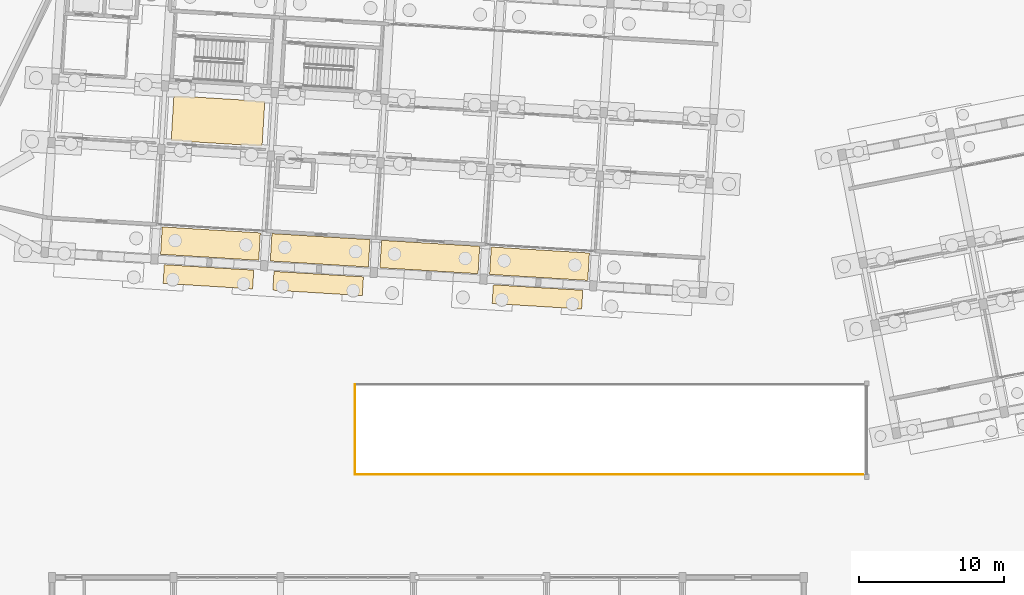
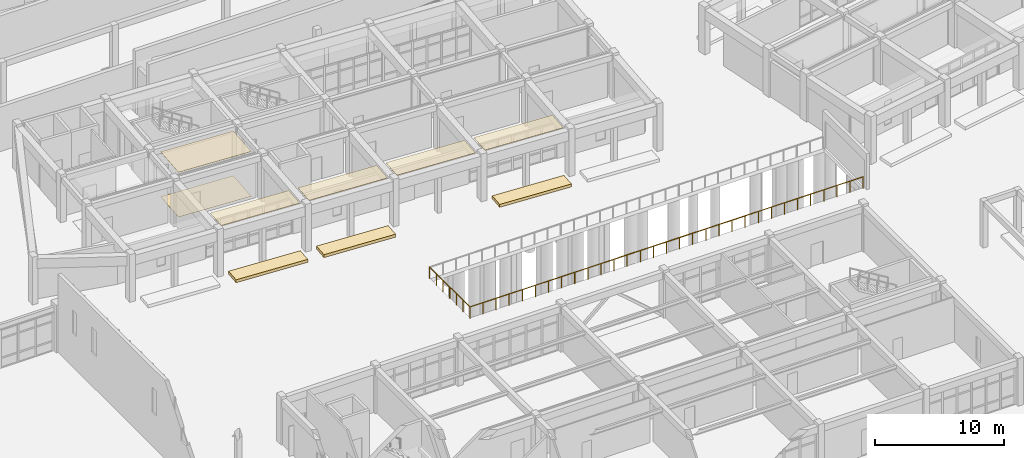
# One storey, part 143 of 154: 9 coverings, 2 railings.
"""IFC4 building model written with IfcOpenShell, lengths in metres."""

from ifc_helpers import new_model, si_unit, direction, frame, origin, origin_2d, place, context, subcontext, project, spatial, polyline, rectangle, circle, outline, extrude, material, layer, layer_set, type_object, element, save


model = new_model("IFC4")

# Units and contexts
model_context = context("Model", 3, precision=1e-05, world=origin(), true_north=direction((0.0, 1.0)))
body_context = subcontext(model_context, "Body", "Model", "MODEL_VIEW")
ifc_project = project(units=[si_unit("LENGTHUNIT", "METRE"), si_unit("AREAUNIT", "SQUARE_METRE"), si_unit("VOLUMEUNIT", "CUBIC_METRE"), si_unit("PLANEANGLEUNIT", "RADIAN"), si_unit("MASSUNIT", "GRAM", prefix="KILO")], contexts=[model_context])

# Site, building, storey
site_placement = place(None, origin())
site = spatial("IfcSite", under=ifc_project, at=site_placement, CompositionType="ELEMENT")
building_placement = place(site_placement, origin())
building = spatial("IfcBuilding", under=site, at=building_placement, Name="Kestramere Prow Commons", CompositionType="ELEMENT")
storey_placement = place(building_placement, origin())
storey = spatial("IfcBuildingStorey", under=building, at=storey_placement, Name="L00", CompositionType="ELEMENT", Elevation=0.0)

# Coverings
ifc_material_1 = material(Name="Mineral Fibre Acoustic Ceiling Tile")
ifc_layer_1 = layer(ifc_material_1, 0.02490234375)
ifc_layer_set_1 = layer_set([ifc_layer_1], Name="Mineral Fibre Acoustic Ceiling Tile")
covering_type_1 = type_object("IfcCoveringType", Name="COV-CEIL-ACOUSTIC", PredefinedType="CEILING", material=ifc_layer_set_1)
covering_1_placement = place(storey_placement, frame((0.0, 0.0, 4.22509765625)))
element("IfcCovering", 1, at=covering_1_placement, inside=storey, type_object=covering_type_1, Name="Block C L00 Corridor Acoustic Ceiling 2", PredefinedType="CEILING", context=body_context, shape_type="SweptSolid", body=[
    extrude(outline(polyline([(68.23828125, 54.23095703125), (74.526611328125, 53.846435546875), (74.7158203125, 56.940673828125), (68.427490234375, 57.3251953125), (68.23828125, 54.23095703125)])), origin(), (0.0, 0.0, 1.0), 0.02490234375),
])
ifc_material_2 = material(Name="Honed Cementitious Terrazzo Tile")
ifc_layer_2 = layer(ifc_material_2, 0.02001953125)
ifc_layer_set_2 = layer_set([ifc_layer_2], Name="Honed Cementitious Terrazzo Tile")
covering_type_2 = type_object("IfcCoveringType", Name="COV-FLOOR-TERRAZZO", PredefinedType="FLOORING", material=ifc_layer_set_2)
covering_2_placement = place(storey_placement, origin())
element("IfcCovering", 2, at=covering_2_placement, inside=storey, type_object=covering_type_2, Name="Block C L00 Corridor Terrazzo Flooring 2", PredefinedType="FLOORING", context=body_context, shape_type="SweptSolid", body=[
    extrude(outline(polyline([(68.23828125, 54.23095703125), (74.526611328125, 53.846435546875), (74.7158203125, 56.940673828125), (68.427490234375, 57.3251953125), (68.23828125, 54.23095703125)])), origin(), (0.0, 0.0, 1.0), 0.02001953125),
])
ifc_material_3 = material(Name="Planted Tropical Rain-Garden Soil and Foliage")
ifc_layer_3 = layer(ifc_material_3, 0.280029296875)
ifc_layer_set_3 = layer_set([ifc_layer_3], Name="Planted Tropical Rain-Garden Soil and Foliage")
covering_type_3 = type_object("IfcCoveringType", Name="COV-PLANT-STRIP", PredefinedType="USERDEFINED", material=ifc_layer_set_3)
covering_3_placement = place(storey_placement, origin())
element("IfcCovering", 3, at=covering_3_placement, inside=storey, type_object=covering_type_3, Name="Street Setback Planted Landscape Strip PLST-C-S-1", ObjectType="PLANTED STRIP", PredefinedType="USERDEFINED", context=body_context, shape_type="SweptSolid", body=[
    extrude(outline(polyline([(67.76318359375, 45.643798828125), (73.95166015625, 45.265380859375), (73.872314453125, 43.968017578125), (67.683837890625, 44.346435546875), (67.76318359375, 45.643798828125)])), origin(), (0.0, 0.0, 1.0), 0.280029296875),
])
covering_4_placement = place(storey_placement, origin())
element("IfcCovering", 4, at=covering_4_placement, inside=storey, type_object=covering_type_3, Name="Street Setback Planted Landscape Strip PLST-C-S-2", ObjectType="PLANTED STRIP", PredefinedType="USERDEFINED", context=body_context, shape_type="SweptSolid", body=[
    extrude(outline(polyline([(75.34912109375, 45.179931640625), (81.537353515625, 44.801513671875), (81.4580078125, 43.50390625), (75.26953125, 43.88232421875), (75.34912109375, 45.179931640625)])), origin(), (0.0, 0.0, 1.0), 0.280029296875),
])
covering_5_placement = place(storey_placement, origin())
element("IfcCovering", 5, at=covering_5_placement, inside=storey, type_object=covering_type_3, Name="Street Setback Planted Landscape Strip PLST-C-S-4", ObjectType="PLANTED STRIP", PredefinedType="USERDEFINED", context=body_context, shape_type="SweptSolid", body=[
    extrude(outline(polyline([(90.5205078125, 44.251953125), (96.708984375, 43.87353515625), (96.629638671875, 42.575927734375), (90.44140625, 42.95458984375), (90.5205078125, 44.251953125)])), origin(), (0.0, 0.0, 1.0), 0.280029296875),
])
ifc_material_4 = material(Name="Perforated Aluminium Colonnade Soffit Cladding", Category="aluminium")
ifc_layer_4 = layer(ifc_material_4, 0.030029296875)
ifc_layer_set_4 = layer_set([ifc_layer_4], Name="Perforated Aluminium Colonnade Soffit Cladding")
covering_type_4 = type_object("IfcCoveringType", Name="COV-SOFFIT-ALU", PredefinedType="CLADDING", material=ifc_layer_set_4)
for number, where, z_axis, x_axis, name in (
    (6, (70.9580078125, 47.1015625, 4.22021484375), (0.0, 0.0, 1.0), (0.998134798422, -0.061048539535, 0.0), "Block C South Colonnade Soffit Panel 2"),
    (7, (78.5439453125, 46.6376953125, 4.22021484375), (0.0, 0.0, 1.0), (0.998134798422, -0.061048539535, 0.0), "Block C South Colonnade Soffit Panel 3"),
    (8, (86.129638671875, 46.173583984375, 4.22021484375), (0.0, 0.0, 1.0), (0.998134798422, -0.061048539535, 0.0), "Block C South Colonnade Soffit Panel 4"),
    (9, (93.715576171875, 45.709716796875, 4.22021484375), (0.0, 0.0, 1.0), (0.998134798422, -0.061048539535, 0.0), "Block C South Colonnade Soffit Panel 5"),
):
    element("IfcCovering", number, at=place(storey_placement, frame(where, z_axis=z_axis, x_axis=x_axis)), inside=storey, type_object=covering_type_4, Name=name, PredefinedType="CLADDING", context=body_context, shape_type="SweptSolid", body=[
        extrude(rectangle(XDim=6.800048828125, YDim=1.89990234375, at=origin_2d()), origin(), (0.0, 0.0, 1.0), 0.030029296875),
    ])

# Railings
ifc_material_5 = material(Name="Powder-Coated Aluminium 6063-T6", Category="aluminium")
railing_type = type_object("IfcRailingType", Name="GRD-BALC-1100", PredefinedType="BALUSTRADE", material=ifc_material_5)
railing_1_placement = place(storey_placement, frame((80.949951171875, 31.139892578125, 0.0)))
element("IfcRailing", 10, at=railing_1_placement, inside=storey, type_object=railing_type, Name="Car Park Ramp Void West Guardrail", PredefinedType="BALUSTRADE", context=body_context, shape_type="SweptSolid", body=[
    extrude(circle(Radius=0.02392578125, at=origin_2d()), frame((0.0, 0.0, 1.076171875), z_axis=(0.0, 1.0, 0.0), x_axis=(-1.0, 0.0, 0.0)), (0.0, 0.0, 1.0), 6.22021484375),
    extrude(circle(Radius=0.02099609375, at=origin_2d()), origin(), (0.0, 0.0, 1.0), 1.052001953125),
    extrude(circle(Radius=0.02099609375, at=origin_2d()), frame((0.0, 1.03662109375, 0.0)), (0.0, 0.0, 1.0), 1.052001953125),
    extrude(circle(Radius=0.02099609375, at=origin_2d()), frame((0.0, 2.073486328125, 0.0)), (0.0, 0.0, 1.0), 1.052001953125),
    extrude(circle(Radius=0.02099609375, at=origin_2d()), frame((0.0, 3.110107421875, 0.0)), (0.0, 0.0, 1.0), 1.052001953125),
    extrude(circle(Radius=0.02099609375, at=origin_2d()), frame((0.0, 4.146728515625, 0.0)), (0.0, 0.0, 1.0), 1.052001953125),
    extrude(circle(Radius=0.02099609375, at=origin_2d()), frame((0.0, 5.18359375, 0.0)), (0.0, 0.0, 1.0), 1.052001953125),
    extrude(circle(Radius=0.02099609375, at=origin_2d()), frame((0.0, 6.22021484375, 0.0)), (0.0, 0.0, 1.0), 1.052001953125),
])
railing_2_placement = place(storey_placement, frame((80.949951171875, 31.139892578125, 0.0)))
element("IfcRailing", 11, at=railing_2_placement, inside=storey, type_object=railing_type, Name="Car Park Ramp Void South Guardrail", PredefinedType="BALUSTRADE", context=body_context, shape_type="SweptSolid", body=[
    extrude(circle(Radius=0.02392578125, at=origin_2d()), frame((0.0, 0.0, 1.076171875), z_axis=(1.0, 0.0, 0.0), x_axis=(0.0, 1.0, 0.0)), (0.0, 0.0, 1.0), 35.150146484375),
    extrude(circle(Radius=0.02099609375, at=origin_2d()), origin(), (0.0, 0.0, 1.0), 1.052001953125),
    extrude(circle(Radius=0.02099609375, at=origin_2d()), frame((1.171630859375, 0.0, 0.0)), (0.0, 0.0, 1.0), 1.052001953125),
    extrude(circle(Radius=0.02099609375, at=origin_2d()), frame((2.34326171875, 0.0, 0.0)), (0.0, 0.0, 1.0), 1.052001953125),
    extrude(circle(Radius=0.02099609375, at=origin_2d()), frame((3.51513671875, 0.0, 0.0)), (0.0, 0.0, 1.0), 1.052001953125),
    extrude(circle(Radius=0.02099609375, at=origin_2d()), frame((4.686767578125, 0.0, 0.0)), (0.0, 0.0, 1.0), 1.052001953125),
    extrude(circle(Radius=0.02099609375, at=origin_2d()), frame((5.8583984375, 0.0, 0.0)), (0.0, 0.0, 1.0), 1.052001953125),
    extrude(circle(Radius=0.02099609375, at=origin_2d()), frame((7.030029296875, 0.0, 0.0)), (0.0, 0.0, 1.0), 1.052001953125),
    extrude(circle(Radius=0.02099609375, at=origin_2d()), frame((8.20166015625, 0.0, 0.0)), (0.0, 0.0, 1.0), 1.052001953125),
    extrude(circle(Radius=0.02099609375, at=origin_2d()), frame((9.373291015625, 0.0, 0.0)), (0.0, 0.0, 1.0), 1.052001953125),
    extrude(circle(Radius=0.02099609375, at=origin_2d()), frame((10.544921875, 0.0, 0.0)), (0.0, 0.0, 1.0), 1.052001953125),
    extrude(circle(Radius=0.02099609375, at=origin_2d()), frame((11.716796875, 0.0, 0.0)), (0.0, 0.0, 1.0), 1.052001953125),
    extrude(circle(Radius=0.02099609375, at=origin_2d()), frame((12.888427734375, 0.0, 0.0)), (0.0, 0.0, 1.0), 1.052001953125),
    extrude(circle(Radius=0.02099609375, at=origin_2d()), frame((14.06005859375, 0.0, 0.0)), (0.0, 0.0, 1.0), 1.052001953125),
    extrude(circle(Radius=0.02099609375, at=origin_2d()), frame((15.231689453125, 0.0, 0.0)), (0.0, 0.0, 1.0), 1.052001953125),
    extrude(circle(Radius=0.02099609375, at=origin_2d()), frame((16.4033203125, 0.0, 0.0)), (0.0, 0.0, 1.0), 1.052001953125),
    extrude(circle(Radius=0.02099609375, at=origin_2d()), frame((17.5751953125, 0.0, 0.0)), (0.0, 0.0, 1.0), 1.052001953125),
    extrude(circle(Radius=0.02099609375, at=origin_2d()), frame((18.746826171875, 0.0, 0.0)), (0.0, 0.0, 1.0), 1.052001953125),
    extrude(circle(Radius=0.02099609375, at=origin_2d()), frame((19.91845703125, 0.0, 0.0)), (0.0, 0.0, 1.0), 1.052001953125),
    extrude(circle(Radius=0.02099609375, at=origin_2d()), frame((21.090087890625, 0.0, 0.0)), (0.0, 0.0, 1.0), 1.052001953125),
    extrude(circle(Radius=0.02099609375, at=origin_2d()), frame((22.26171875, 0.0, 0.0)), (0.0, 0.0, 1.0), 1.052001953125),
    extrude(circle(Radius=0.02099609375, at=origin_2d()), frame((23.433349609375, 0.0, 0.0)), (0.0, 0.0, 1.0), 1.052001953125),
    extrude(circle(Radius=0.02099609375, at=origin_2d()), frame((24.60498046875, 0.0, 0.0)), (0.0, 0.0, 1.0), 1.052001953125),
    extrude(circle(Radius=0.02099609375, at=origin_2d()), frame((25.77685546875, 0.0, 0.0)), (0.0, 0.0, 1.0), 1.052001953125),
    extrude(circle(Radius=0.02099609375, at=origin_2d()), frame((26.948486328125, 0.0, 0.0)), (0.0, 0.0, 1.0), 1.052001953125),
    extrude(circle(Radius=0.02099609375, at=origin_2d()), frame((28.1201171875, 0.0, 0.0)), (0.0, 0.0, 1.0), 1.052001953125),
    extrude(circle(Radius=0.02099609375, at=origin_2d()), frame((29.291748046875, 0.0, 0.0)), (0.0, 0.0, 1.0), 1.052001953125),
    extrude(circle(Radius=0.02099609375, at=origin_2d()), frame((30.46337890625, 0.0, 0.0)), (0.0, 0.0, 1.0), 1.052001953125),
    extrude(circle(Radius=0.02099609375, at=origin_2d()), frame((31.63525390625, 0.0, 0.0)), (0.0, 0.0, 1.0), 1.052001953125),
    extrude(circle(Radius=0.02099609375, at=origin_2d()), frame((32.806884765625, 0.0, 0.0)), (0.0, 0.0, 1.0), 1.052001953125),
    extrude(circle(Radius=0.02099609375, at=origin_2d()), frame((33.978515625, 0.0, 0.0)), (0.0, 0.0, 1.0), 1.052001953125),
    extrude(circle(Radius=0.02099609375, at=origin_2d()), frame((35.150146484375, 0.0, 0.0)), (0.0, 0.0, 1.0), 1.052001953125),
])

save(model, "model.ifc")
